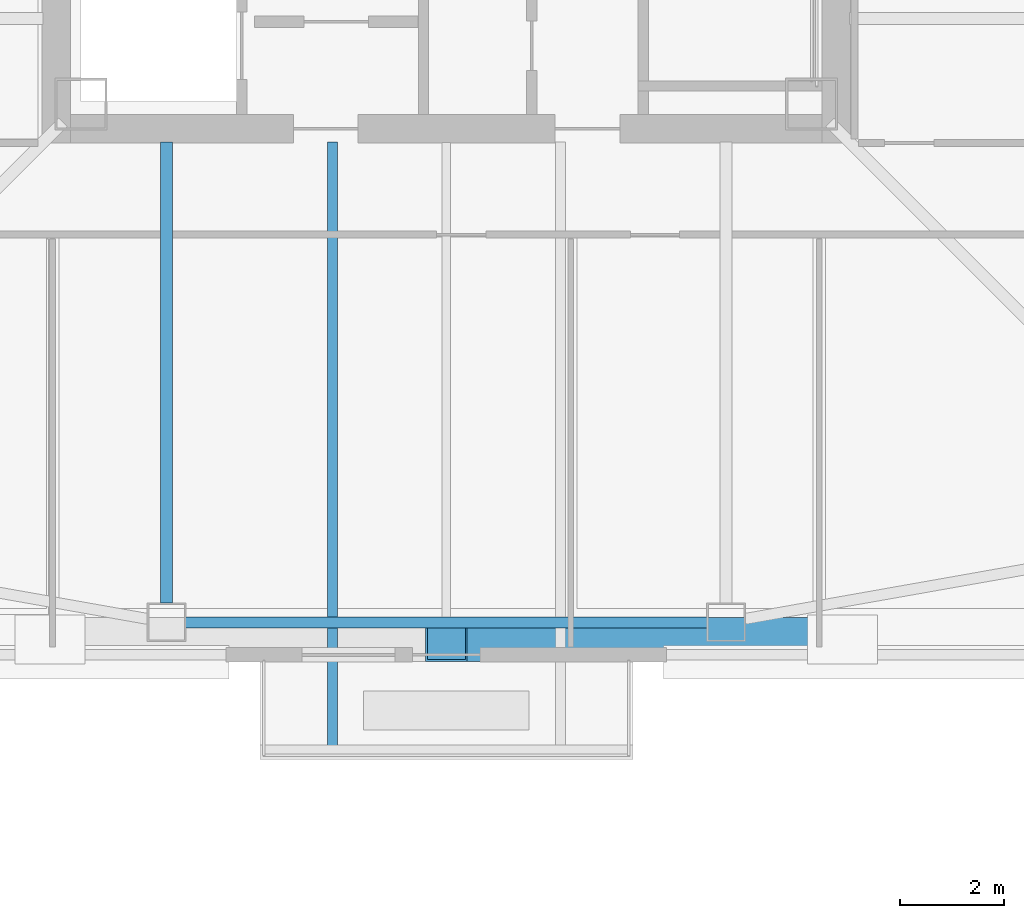
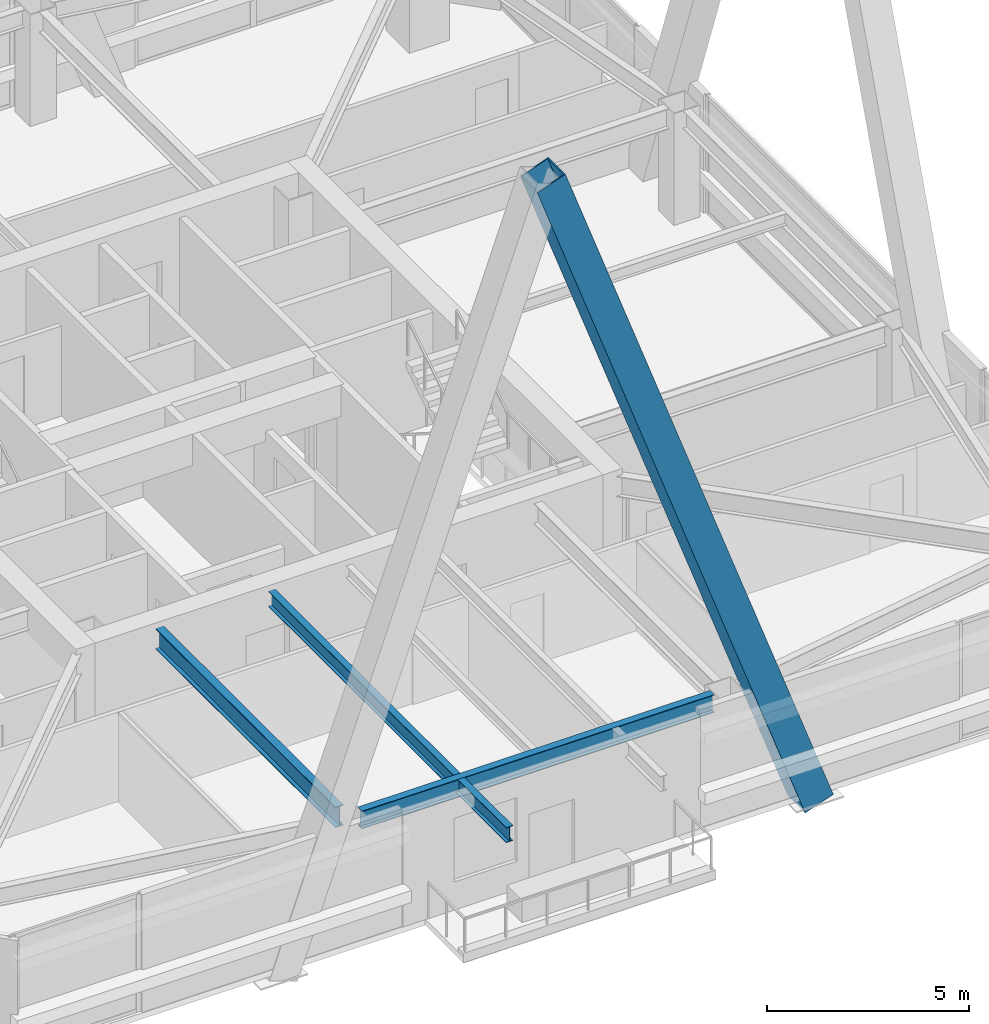
# One storey, part 6 of 55: 3 beams, 1 member.
"""IFC4 building model written with IfcOpenShell, lengths in metres."""

from ifc_helpers import new_model, si_unit, direction, frame, origin, origin_2d, place, context, subcontext, project, spatial, hollow_rectangle, i_section, extrude, material, material_profile, profile_set, type_object, element, save


model = new_model("IFC4")

# Units and contexts
model_context = context("Model", 3, precision=1e-05, world=origin(), true_north=direction((0.0, 1.0)))
body_context = subcontext(model_context, "Body", "Model", "MODEL_VIEW")
ifc_project = project(units=[si_unit("LENGTHUNIT", "METRE"), si_unit("AREAUNIT", "SQUARE_METRE"), si_unit("VOLUMEUNIT", "CUBIC_METRE"), si_unit("PLANEANGLEUNIT", "RADIAN"), si_unit("MASSUNIT", "GRAM", prefix="KILO")], contexts=[model_context])

# Site, building, storey
site_placement = place(None, origin())
site = spatial("IfcSite", under=ifc_project, at=site_placement, CompositionType="ELEMENT")
building_placement = place(site_placement, origin())
building = spatial("IfcBuilding", under=site, at=building_placement, Name="Tashvorn Skyway Center", CompositionType="ELEMENT")
storey_placement = place(building_placement, frame((0.0, 0.0, 178.300048828125)))
storey = spatial("IfcBuildingStorey", under=building, at=storey_placement, Name="L48", CompositionType="ELEMENT", Elevation=178.300048828125)

# Beams
ifc_material_1 = material(Name="Steel ASTM A992 Grade 50", Category="steel")
ifc_material_profile_1 = material_profile(ifc_material_1, i_section(OverallWidth=0.22998046875, OverallDepth=0.616943359375, WebThickness=0.01318359375, FlangeThickness=0.022216796875, at=origin_2d()), Name="W24X94")
ifc_profile_set_1 = profile_set([ifc_material_profile_1], Name="Steel ASTM A992 Grade 50")
beam_type_1 = type_object("IfcBeamType", Name="BM-BEAM-W24X94", PredefinedType="BEAM", material=ifc_profile_set_1)
beam_1_placement = place(storey_placement, frame((36.60009765625, 15.320068359375, 3.0615234375), z_axis=(0.0, 1.0, 0.0), x_axis=(-1.0, 0.0, 0.0)))
element("IfcBeam", 1, at=beam_1_placement, inside=storey, type_object=beam_type_1, Name="Tower 1 L48 Primary Floor Girder FC-S1", PredefinedType="BEAM", context=body_context, shape_type="SweptSolid", body=[
    extrude(i_section(OverallWidth=0.22998046875, OverallDepth=0.616943359375, WebThickness=0.01318359375, FlangeThickness=0.022216796875, at=origin_2d()), origin(), (0.0, 0.0, 1.0), 8.89990234375),
])
ifc_material_profile_2 = material_profile(ifc_material_1, i_section(OverallWidth=0.19091796875, OverallDepth=0.4599609375, WebThickness=0.010009765625, FlangeThickness=0.01611328125, at=origin_2d()), Name="W18X55")
ifc_profile_set_2 = profile_set([ifc_material_profile_2], Name="Steel ASTM A992 Grade 50")
beam_type_2 = type_object("IfcBeamType", Name="BM-JOIST-W18X55", PredefinedType="JOIST", material=ifc_profile_set_2)
beam_2_placement = place(storey_placement, frame((39.800048828125, 24.219970703125, 3.139892578125), z_axis=(0.0, -1.0, 0.0), x_axis=(1.0, 0.0, 0.0)))
element("IfcBeam", 2, at=beam_2_placement, inside=storey, type_object=beam_type_2, Name="Tower 1 L49 Terrace Cantilever Outlooker 1", PredefinedType="JOIST", context=body_context, shape_type="SweptSolid", body=[
    extrude(i_section(OverallWidth=0.19091796875, OverallDepth=0.4599609375, WebThickness=0.010009765625, FlangeThickness=0.01611328125, at=origin_2d()), origin(), (0.0, 0.0, 1.0), 11.77001953125),
])
ifc_material_profile_3 = material_profile(ifc_material_1, i_section(OverallWidth=0.2109375, OverallDepth=0.5390625, WebThickness=0.01171875, FlangeThickness=0.018798828125, at=origin_2d()), Name="W21X73")
ifc_profile_set_3 = profile_set([ifc_material_profile_3], Name="Steel ASTM A992 Grade 50")
beam_type_3 = type_object("IfcBeamType", Name="BM-SPANDREL-W21X73", PredefinedType="SPANDREL", material=ifc_profile_set_3)
beam_3_placement = place(storey_placement, frame((36.969970703125, 14.949951171875, 3.100341796875), z_axis=(1.0, 0.0, 0.0), x_axis=(0.0, 1.0, 0.0)))
element("IfcBeam", 3, at=beam_3_placement, inside=storey, type_object=beam_type_3, Name="Tower 1 L48 Spandrel Beam 02", PredefinedType="SPANDREL", context=body_context, shape_type="SweptSolid", body=[
    extrude(i_section(OverallWidth=0.2109375, OverallDepth=0.5390625, WebThickness=0.01171875, FlangeThickness=0.018798828125, at=origin_2d()), origin(), (0.0, 0.0, 1.0), 10.06005859375),
])

# Member
ifc_material_2 = material(Name="Steel ASTM A572 Grade 50", Category="steel")
ifc_material_profile_4 = material_profile(ifc_material_2, hollow_rectangle(XDim=0.85009765625, YDim=0.85009765625, WallThickness=0.034912109375, at=origin_2d()), Name="BOX850x850x35")
ifc_profile_set_4 = profile_set([ifc_material_profile_4], Name="Steel ASTM A572 Grade 50")
member_type = type_object("IfcMemberType", Name="MEM-MB-850", PredefinedType="BRACE", material=ifc_profile_set_4)
member_placement = place(storey_placement, frame((49.64990234375, 14.6201171875, -0.449951171875), z_axis=(-0.336612679687, 0.0, 0.941643193505), x_axis=(0.0, -1.0, 0.0)))
element("IfcMember", 4, at=member_placement, inside=storey, type_object=member_type, Name="Tower 1 Zone 4 S Chevron Mega-Brace R2", PredefinedType="BRACE", context=body_context, shape_type="SweptSolid", body=[
    extrude(hollow_rectangle(XDim=0.85009765625, YDim=0.85009765625, WallThickness=0.034912109375, at=origin_2d()), origin(), (0.0, 0.0, 1.0), 22.72607421875),
])

save(model, "model.ifc")
